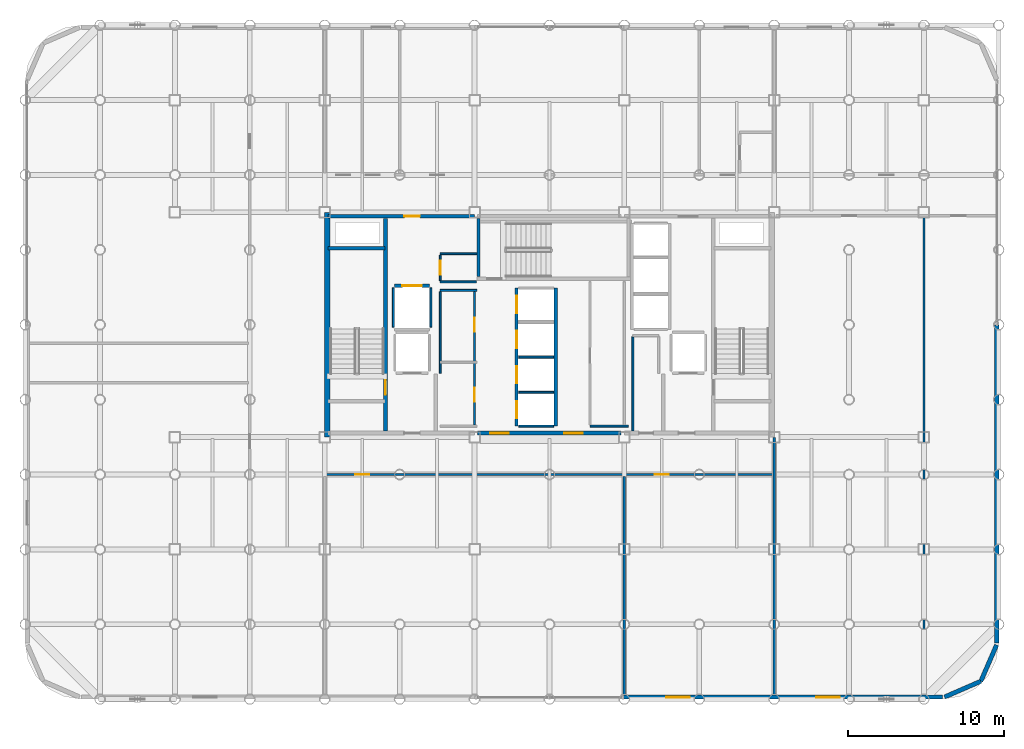
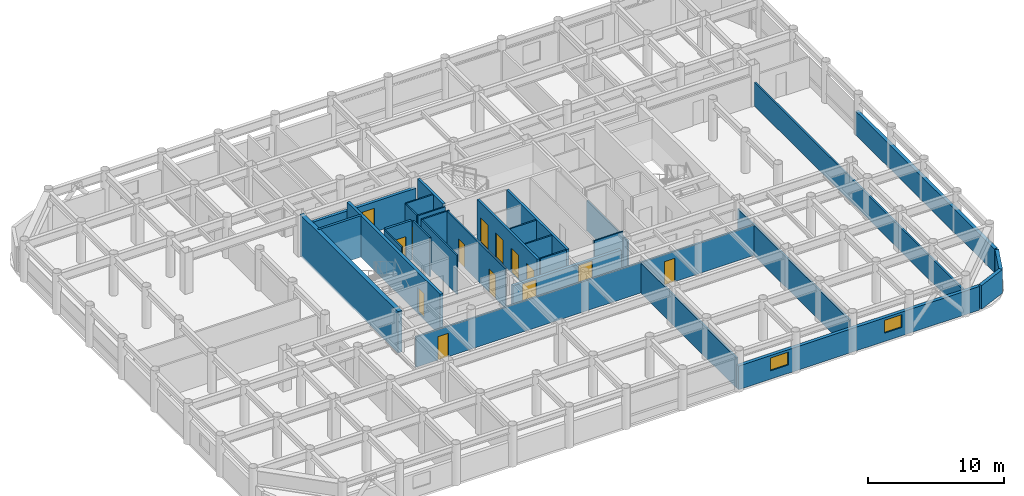
# One storey, part 16 of 19: 30 walls, 14 doors, 2 windows, 16 openings.
"""IFC4 building model written with IfcOpenShell, lengths in metres."""

from ifc_helpers import new_model, si_unit, direction, frame, frame_2d, origin, place, context, subcontext, project, spatial, rectangle, extrude, material, layer, layer_set, type_object, element, fill, save


model = new_model("IFC4")

# Units and contexts
model_context = context("Model", 3, precision=1e-05, world=origin(), true_north=direction((0.0, 1.0)))
body_context = subcontext(model_context, "Body", "Model", "MODEL_VIEW")
ifc_project = project(units=[si_unit("LENGTHUNIT", "METRE"), si_unit("AREAUNIT", "SQUARE_METRE"), si_unit("VOLUMEUNIT", "CUBIC_METRE"), si_unit("PLANEANGLEUNIT", "RADIAN"), si_unit("MASSUNIT", "GRAM", prefix="KILO")], contexts=[model_context])

# Site, building, storey
site_placement = place(None, origin())
site = spatial("IfcSite", under=ifc_project, at=site_placement, CompositionType="ELEMENT")
building_placement = place(site_placement, origin())
building = spatial("IfcBuilding", under=site, at=building_placement, Name="Kallvorn Hotel Tower", CompositionType="ELEMENT")
storey_placement = place(building_placement, frame((0.0, 0.0, 165.5)))
storey = spatial("IfcBuildingStorey", under=building, at=storey_placement, Name="L41", CompositionType="ELEMENT", Elevation=165.5)

# Walls
ifc_material_1 = material(Name="Concrete C50/60", Category="concrete")
ifc_layer_1 = layer(ifc_material_1, 0.35009765625)
ifc_layer_set_1 = layer_set([ifc_layer_1], Name="WL_CORE_350")
wall_type_1 = type_object("IfcWallType", Name="WL_CORE_350", PredefinedType="SHEAR", material=ifc_layer_set_1)
wall_1_placement = place(storey_placement, frame((-14.239990234375, -7.199951171875, -0.179931640625), z_axis=(0.0, 0.0, 1.0), x_axis=(0.0, 1.0, 0.0)))
element("IfcWall", 1, at=wall_1_placement, inside=storey, type_object=wall_type_1, Name="L41 Core West Shear Wall", PredefinedType="SHEAR", context=body_context, shape_type="SweptSolid", body=[
    extrude(rectangle(XDim=14.39990234375, YDim=0.35009765625, at=frame_2d((7.199951171875, 0.0))), origin(), (0.0, 0.0, 1.0), 3.699951171875),
])
ifc_material_2 = material(Name="Precast basalt-clad insulated concrete wall C40/50", Category="masonry")
ifc_layer_2 = layer(ifc_material_2, 0.280029296875)
ifc_layer_set_2 = layer_set([ifc_layer_2], Name="WL_EXT_LOGGIA_280")
wall_type_2 = type_object("IfcWallType", Name="WL_EXT_LOGGIA_280", PredefinedType="SOLIDWALL", material=ifc_layer_set_2)
wall_2_placement = place(storey_placement, frame((25.32080078125, -23.85791015625, 0.0), z_axis=(0.0, 0.0, 1.0), x_axis=(0.917060872934, 0.398747232384, 0.0)))
element("IfcWall", 2, at=wall_2_placement, inside=storey, type_object=wall_type_2, Name="L41 Rounded Corner Exterior Wall SE1", PredefinedType="SOLIDWALL", context=body_context, shape_type="SweptSolid", body=[
    extrude(rectangle(XDim=2.5361328125, YDim=0.280029296875, at=frame_2d((1.26806640625, 0.0))), origin(), (0.0, 0.0, 1.0), 2.1201171875),
])
wall_3_placement = place(storey_placement, frame((27.646484375, -22.8466796875, 0.0), z_axis=(0.0, 0.0, 1.0), x_axis=(0.398792985289, 0.917040977756, 0.0)))
element("IfcWall", 3, at=wall_3_placement, inside=storey, type_object=wall_type_2, Name="L41 Rounded Corner Exterior Wall SE2", PredefinedType="SOLIDWALL", context=body_context, shape_type="SweptSolid", body=[
    extrude(rectangle(XDim=2.536376953125, YDim=0.280029296875, at=frame_2d((1.26806640625, 0.0))), origin(), (0.0, 0.0, 1.0), 2.1201171875),
])

# Wall, openings, windows
wall_4_placement = place(storey_placement, frame((4.75, -23.860107421875, 0.0), z_axis=(0.0, 0.0, 1.0), x_axis=(1.0, 0.0, 0.0)))
wall_4 = element("IfcWall", 4, at=wall_4_placement, inside=storey, type_object=wall_type_2, Name="L41 Exterior Envelope Wall EW-L41-SE", PredefinedType="SOLIDWALL", context=body_context, shape_type="SweptSolid", body=[
    extrude(rectangle(XDim=20.449951171875, YDim=0.280029296875, at=frame_2d((10.22509765625, 0.0))), origin(), (0.0, 0.0, 1.0), 2.1201171875),
])
opening_1_placement = place(wall_4_placement, frame((12.360107421875, 0.0, 0.75)))
opening_1 = element("IfcOpeningElement", 5, at=opening_1_placement, cuts=wall_4, Name="Opening W05A", PredefinedType="OPENING", context=body_context, shape_type="SweptSolid", body=[
    extrude(rectangle(XDim=1.5, YDim=1.14990234375, at=frame_2d((0.75, 0.574951171875))), frame((0.0, 0.155029296875, 0.0), z_axis=(0.0, -1.0, 0.0), x_axis=(1.0, 0.0, 0.0)), (0.0, 0.0, 1.0), 0.31005859375),
])
opening_2_placement = place(wall_4_placement, frame((2.73388671875, 0.0, 0.75)))
opening_2 = element("IfcOpeningElement", 6, at=opening_2_placement, cuts=wall_4, Name="Opening W05A", PredefinedType="OPENING", context=body_context, shape_type="SweptSolid", body=[
    extrude(rectangle(XDim=1.5, YDim=1.14990234375, at=frame_2d((0.75, 0.574951171875))), frame((0.0, 0.155029296875, 0.0), z_axis=(0.0, -1.0, 0.0), x_axis=(1.0, 0.0, 0.0)), (0.0, 0.0, 1.0), 0.31005859375),
])
ifc_material_3 = material(Name="Double-glazed low-e solar-control dark glass", Category="glass")
window_type = type_object("IfcWindowType", Name="WN_HTL_1500x1150", PartitioningType="SINGLE_PANEL", PredefinedType="WINDOW", material=ifc_material_3)
window_1_placement = place(opening_1_placement, origin())
window_1 = element("IfcWindow", 7, at=window_1_placement, inside=storey, type_object=window_type, Name="L41 Guestroom Exterior Window 05", OverallHeight=1.14990234375, OverallWidth=1.5, PartitioningType="SINGLE_PANEL", PredefinedType="WINDOW", context=body_context, shape_type="SweptSolid", body=[
    extrude(rectangle(XDim=1.5, YDim=1.14990234375, at=frame_2d((0.75, 0.574951171875))), frame((0.0, 0.030029296875, 0.0), z_axis=(0.0, -1.0, 0.0), x_axis=(1.0, 0.0, 0.0)), (0.0, 0.0, 1.0), 0.06005859375),
])
fill(opening_1, window_1)
window_2_placement = place(opening_2_placement, origin())
window_2 = element("IfcWindow", 8, at=window_2_placement, inside=storey, type_object=window_type, Name="L41 Guestroom Exterior Window 06", OverallHeight=1.14990234375, OverallWidth=1.5, PartitioningType="SINGLE_PANEL", PredefinedType="WINDOW", context=body_context, shape_type="SweptSolid", body=[
    extrude(rectangle(XDim=1.5, YDim=1.14990234375, at=frame_2d((0.75, 0.574951171875))), frame((0.0, 0.030029296875, 0.0), z_axis=(0.0, -1.0, 0.0), x_axis=(1.0, 0.0, 0.0)), (0.0, 0.0, 1.0), 0.06005859375),
])
fill(opening_2, window_2)

# Walls
wall_5_placement = place(storey_placement, frame((28.659912109375, -20.39990234375, 0.0), z_axis=(0.0, 0.0, 1.0), x_axis=(0.0, 1.0, 0.0)))
element("IfcWall", 9, at=wall_5_placement, inside=storey, type_object=wall_type_2, Name="L41 Exterior Envelope Wall EW-L41-ES", PredefinedType="SOLIDWALL", context=body_context, shape_type="SweptSolid", body=[
    extrude(rectangle(XDim=20.3798828125, YDim=0.280029296875, at=frame_2d((10.18994140625, 0.0))), origin(), (0.0, 0.0, 1.0), 2.1201171875),
])
ifc_material_4 = material(Name="Concrete C40/50", Category="concrete")
ifc_layer_3 = layer(ifc_material_4, 0.199951171875)
ifc_layer_set_3 = layer_set([ifc_layer_3], Name="WL_HOIST_200")
wall_type_3 = type_object("IfcWallType", Name="WL_HOIST_200", PredefinedType="SOLIDWALL", material=ifc_layer_set_3)
wall_6_placement = place(storey_placement, frame((-14.199951171875, 4.89990234375, -0.179931640625), z_axis=(0.0, 0.0, 1.0), x_axis=(1.0, 0.0, 0.0)))
element("IfcWall", 10, at=wall_6_placement, inside=storey, type_object=wall_type_3, Name="L41 Stair ST1 North Wall", PredefinedType="SOLIDWALL", context=body_context, shape_type="SweptSolid", body=[
    extrude(rectangle(XDim=3.64990234375, YDim=0.199951171875, at=frame_2d((1.824951171875, 0.0))), origin(), (0.0, 0.0, 1.0), 3.699951171875),
])
wall_7_placement = place(storey_placement, frame((-4.550048828125, 3.080078125, -0.179931640625), z_axis=(0.0, 0.0, 1.0), x_axis=(0.0, 1.0, 0.0)))
element("IfcWall", 11, at=wall_7_placement, inside=storey, type_object=wall_type_3, Name="L41 Stair ST3 West Wall", PredefinedType="SOLIDWALL", context=body_context, shape_type="SweptSolid", body=[
    extrude(rectangle(XDim=3.739990234375, YDim=0.199951171875, at=frame_2d((1.8701171875, 0.0))), origin(), (0.0, 0.0, 1.0), 3.699951171875),
])

# Wall, openings, doors
wall_8_placement = place(storey_placement, frame((-2.10009765625, -6.5, 0.0), z_axis=(0.0, 0.0, 1.0), x_axis=(0.0, 1.0, 0.0)))
wall_8 = element("IfcWall", 12, at=wall_8_placement, inside=storey, type_object=wall_type_3, Name="L41 Lift Bank B2 Landing Wall", PredefinedType="SOLIDWALL", context=body_context, shape_type="SweptSolid", body=[
    extrude(rectangle(XDim=8.85009765625, YDim=0.199951171875, at=frame_2d((4.425048828125, 0.0))), origin(), (0.0, 0.0, 1.0), 3.52001953125),
])
opening_3_placement = place(wall_8_placement, frame((0.5, 0.0, 0.0)))
opening_3 = element("IfcOpeningElement", 13, at=opening_3_placement, cuts=wall_8, Name="Opening LD-PL-05", PredefinedType="OPENING", context=body_context, shape_type="SweptSolid", body=[
    extrude(rectangle(XDim=1.10009765625, YDim=2.199951171875, at=frame_2d((0.550048828125, 1.10009765625))), frame((0.0, 0.114990234375, 0.0), z_axis=(0.0, -1.0, 0.0), x_axis=(1.0, 0.0, 0.0)), (0.0, 0.0, 1.0), 0.22998046875),
])
opening_4_placement = place(wall_8_placement, frame((2.75, 0.0, 0.0)))
opening_4 = element("IfcOpeningElement", 14, at=opening_4_placement, cuts=wall_8, Name="Opening LD-PL-06", PredefinedType="OPENING", context=body_context, shape_type="SweptSolid", body=[
    extrude(rectangle(XDim=1.10009765625, YDim=2.199951171875, at=frame_2d((0.550048828125, 1.10009765625))), frame((0.0, 0.114990234375, 0.0), z_axis=(0.0, -1.0, 0.0), x_axis=(1.0, 0.0, 0.0)), (0.0, 0.0, 1.0), 0.22998046875),
])
opening_5_placement = place(wall_8_placement, frame((5.0, 0.0, 0.0)))
opening_5 = element("IfcOpeningElement", 15, at=opening_5_placement, cuts=wall_8, Name="Opening LD-PL-07", PredefinedType="OPENING", context=body_context, shape_type="SweptSolid", body=[
    extrude(rectangle(XDim=1.10009765625, YDim=2.199951171875, at=frame_2d((0.550048828125, 1.10009765625))), frame((0.0, 0.114990234375, 0.0), z_axis=(0.0, -1.0, 0.0), x_axis=(1.0, 0.0, 0.0)), (0.0, 0.0, 1.0), 0.22998046875),
])
opening_6_placement = place(wall_8_placement, frame((7.25, 0.0, 0.0)))
opening_6 = element("IfcOpeningElement", 16, at=opening_6_placement, cuts=wall_8, Name="Opening LD-PL-08", PredefinedType="OPENING", context=body_context, shape_type="SweptSolid", body=[
    extrude(rectangle(XDim=1.10009765625, YDim=2.199951171875, at=frame_2d((0.550048828125, 1.10009765625))), frame((0.0, 0.114990234375, 0.0), z_axis=(0.0, -1.0, 0.0), x_axis=(1.0, 0.0, 0.0)), (0.0, 0.0, 1.0), 0.22998046875),
])
ifc_material_5 = material(Name="Brushed stainless-steel automatic sliding lift landing door", Category="steel")
door_type_1 = type_object("IfcDoorType", Name="LD_PASS_1100x2200", OperationType="SLIDING_TO_LEFT", PredefinedType="DOOR", material=ifc_material_5)
door_1_placement = place(opening_3_placement, origin())
door_1 = element("IfcDoor", 17, at=door_1_placement, inside=storey, type_object=door_type_1, Name="L41 Lift Landing Sliding Door LD-PL-05", OperationType="SLIDING_TO_LEFT", OverallHeight=2.199951171875, OverallWidth=1.10009765625, PredefinedType="DOOR", context=body_context, shape_type="SweptSolid", body=[
    extrude(rectangle(XDim=1.10009765625, YDim=2.199951171875, at=frame_2d((0.550048828125, 1.10009765625))), frame((0.0, 0.02490234375, 0.0), z_axis=(0.0, -1.0, 0.0), x_axis=(1.0, 0.0, 0.0)), (0.0, 0.0, 1.0), 0.050048828125),
])
fill(opening_3, door_1)
door_2_placement = place(opening_4_placement, origin())
door_2 = element("IfcDoor", 18, at=door_2_placement, inside=storey, type_object=door_type_1, Name="L41 Lift Landing Sliding Door LD-PL-06", OperationType="SLIDING_TO_LEFT", OverallHeight=2.199951171875, OverallWidth=1.10009765625, PredefinedType="DOOR", context=body_context, shape_type="SweptSolid", body=[
    extrude(rectangle(XDim=1.10009765625, YDim=2.199951171875, at=frame_2d((0.550048828125, 1.10009765625))), frame((0.0, 0.02490234375, 0.0), z_axis=(0.0, -1.0, 0.0), x_axis=(1.0, 0.0, 0.0)), (0.0, 0.0, 1.0), 0.050048828125),
])
fill(opening_4, door_2)
door_3_placement = place(opening_5_placement, origin())
door_3 = element("IfcDoor", 19, at=door_3_placement, inside=storey, type_object=door_type_1, Name="L41 Lift Landing Sliding Door LD-PL-07", OperationType="SLIDING_TO_LEFT", OverallHeight=2.199951171875, OverallWidth=1.10009765625, PredefinedType="DOOR", context=body_context, shape_type="SweptSolid", body=[
    extrude(rectangle(XDim=1.10009765625, YDim=2.199951171875, at=frame_2d((0.550048828125, 1.10009765625))), frame((0.0, 0.02490234375, 0.0), z_axis=(0.0, -1.0, 0.0), x_axis=(1.0, 0.0, 0.0)), (0.0, 0.0, 1.0), 0.050048828125),
])
fill(opening_5, door_3)
door_4_placement = place(opening_6_placement, origin())
door_4 = element("IfcDoor", 20, at=door_4_placement, inside=storey, type_object=door_type_1, Name="L41 Lift Landing Sliding Door LD-PL-08", OperationType="SLIDING_TO_LEFT", OverallHeight=2.199951171875, OverallWidth=1.10009765625, PredefinedType="DOOR", context=body_context, shape_type="SweptSolid", body=[
    extrude(rectangle(XDim=1.10009765625, YDim=2.199951171875, at=frame_2d((0.550048828125, 1.10009765625))), frame((0.0, 0.02490234375, 0.0), z_axis=(0.0, -1.0, 0.0), x_axis=(1.0, 0.0, 0.0)), (0.0, 0.0, 1.0), 0.050048828125),
])
fill(opening_6, door_4)

# Wall
wall_9_placement = place(storey_placement, frame((0.39990234375, -6.5, 0.0), z_axis=(0.0, 0.0, 1.0), x_axis=(0.0, 1.0, 0.0)))
element("IfcWall", 21, at=wall_9_placement, inside=storey, type_object=wall_type_3, Name="L41 Lift Bank B2 Rear Shaft Wall", PredefinedType="SOLIDWALL", context=body_context, shape_type="SweptSolid", body=[
    extrude(rectangle(XDim=8.85009765625, YDim=0.199951171875, at=frame_2d((4.425048828125, 0.0))), origin(), (0.0, 0.0, 1.0), 3.52001953125),
])

# Wall, opening, door
wall_10_placement = place(storey_placement, frame((-9.919921875, 2.5, 0.0), z_axis=(0.0, 0.0, 1.0), x_axis=(1.0, 0.0, 0.0)))
wall_10 = element("IfcWall", 22, at=wall_10_placement, inside=storey, type_object=wall_type_3, Name="L41 SV-01 Landing Wall", PredefinedType="SOLIDWALL", context=body_context, shape_type="SweptSolid", body=[
    extrude(rectangle(XDim=2.239990234375, YDim=0.199951171875, at=frame_2d((1.1201171875, 0.0))), origin(), (0.0, 0.0, 1.0), 3.52001953125),
])
opening_7_placement = place(wall_10_placement, frame((0.4951171875, 0.0, 0.0)))
opening_7 = element("IfcOpeningElement", 23, at=opening_7_placement, cuts=wall_10, Name="Opening LD-SV-01", PredefinedType="OPENING", context=body_context, shape_type="SweptSolid", body=[
    extrude(rectangle(XDim=1.25, YDim=2.25, at=frame_2d((0.625, 1.125))), frame((0.0, 0.114990234375, 0.0), z_axis=(0.0, -1.0, 0.0), x_axis=(1.0, 0.0, 0.0)), (0.0, 0.0, 1.0), 0.22998046875),
])
ifc_material_6 = material(Name="Brushed stainless-steel automatic sliding lift landing door", Category="steel")
door_type_2 = type_object("IfcDoorType", Name="LD_SERV_1250x2250", OperationType="SLIDING_TO_LEFT", PredefinedType="DOOR", material=ifc_material_6)
door_5_placement = place(opening_7_placement, origin())
door_5 = element("IfcDoor", 24, at=door_5_placement, inside=storey, type_object=door_type_2, Name="L41 Lift Landing Sliding Door LD-SV-01", OperationType="SLIDING_TO_LEFT", OverallHeight=2.25, OverallWidth=1.25, PredefinedType="DOOR", context=body_context, shape_type="SweptSolid", body=[
    extrude(rectangle(XDim=1.25, YDim=2.25, at=frame_2d((0.625, 1.125))), frame((0.0, 0.02490234375, 0.0), z_axis=(0.0, -1.0, 0.0), x_axis=(1.0, 0.0, 0.0)), (0.0, 0.0, 1.0), 0.050048828125),
])
fill(opening_7, door_5)

# Walls
ifc_material_7 = material(Name="Fire-rated double-layer acoustic gypsum drywall EI 60")
ifc_layer_4 = layer(ifc_material_7, 0.1201171875)
ifc_layer_set_4 = layer_set([ifc_layer_4], Name="WL_INT_120")
wall_type_4 = type_object("IfcWallType", Name="WL_INT_120", PredefinedType="PARTITIONING", material=ifc_layer_set_4)
for number, where, z_axis, x_axis, name in (
    (25, (-1.9599609375, -6.5, 0.0), (0.0, 0.0, 1.0), (1.0, 0.0, 0.0), "L41 Lift Bank B2 South Closure Wall"),
    (26, (-1.9599609375, -4.324951171875, 0.0), (0.0, 0.0, 1.0), (1.0, 0.0, 0.0), "L41 PL-05 Hoistway Divider"),
    (27, (-1.9599609375, -2.074951171875, 0.0), (0.0, 0.0, 1.0), (1.0, 0.0, 0.0), "L41 PL-06 Hoistway Divider"),
):
    element("IfcWall", number, at=place(storey_placement, frame(where, z_axis=z_axis, x_axis=x_axis)), inside=storey, type_object=wall_type_4, Name=name, PredefinedType="PARTITIONING", context=body_context, shape_type="SweptSolid", body=[
        extrude(rectangle(XDim=2.219970703125, YDim=0.1201171875, at=frame_2d((1.10986328125, 0.0))), origin(), (0.0, 0.0, 1.0), 3.52001953125),
    ])
for number, where, z_axis, x_axis, name in (
    (28, (-10.0, -0.159912109375, 0.0), (0.0, 0.0, 1.0), (0.0, 1.0, 0.0), "L41 SV-01 West Shaft Wall"),
    (29, (-7.60009765625, -0.159912109375, 0.0), (0.0, 0.0, 1.0), (0.0, 1.0, 0.0), "L41 SV-01 East Shaft Wall"),
):
    element("IfcWall", number, at=place(storey_placement, frame(where, z_axis=z_axis, x_axis=x_axis)), inside=storey, type_object=wall_type_4, Name=name, PredefinedType="PARTITIONING", context=body_context, shape_type="SweptSolid", body=[
        extrude(rectangle(XDim=2.52001953125, YDim=0.1201171875, at=frame_2d((1.260009765625, 0.0))), origin(), (0.0, 0.0, 1.0), 3.52001953125),
    ])
wall_11_placement = place(storey_placement, frame((2.60009765625, -6.5, 0.0), z_axis=(0.0, 0.0, 1.0), x_axis=(1.0, 0.0, 0.0)))
element("IfcWall", 30, at=wall_11_placement, inside=storey, type_object=wall_type_4, Name="L41 East Core Consolidated Linen and Supply Store Partition", PredefinedType="PARTITIONING", context=body_context, shape_type="SweptSolid", body=[
    extrude(rectangle(XDim=2.449951171875, YDim=0.1201171875, at=frame_2d((1.22509765625, 0.0))), origin(), (0.0, 0.0, 1.0), 3.52001953125),
])
wall_12_placement = place(storey_placement, frame((-7.0, 2.199951171875, 0.0), z_axis=(0.0, 0.0, 1.0), x_axis=(1.0, 0.0, 0.0)))
element("IfcWall", 31, at=wall_12_placement, inside=storey, type_object=wall_type_4, Name="L41 Recaptured Central Linen Store Partition", PredefinedType="PARTITIONING", context=body_context, shape_type="SweptSolid", body=[
    extrude(rectangle(XDim=2.35009765625, YDim=0.1201171875, at=frame_2d((1.175048828125, 0.0))), origin(), (0.0, 0.0, 1.0), 3.52001953125),
])
wall_13_placement = place(storey_placement, frame((-7.0, 2.75, 0.0), z_axis=(0.0, 0.0, 1.0), x_axis=(1.0, 0.0, 0.0)))
element("IfcWall", 32, at=wall_13_placement, inside=storey, type_object=wall_type_4, Name="L41 Recaptured North Valet Closet Partition", PredefinedType="PARTITIONING", context=body_context, shape_type="SweptSolid", body=[
    extrude(rectangle(XDim=2.31005859375, YDim=0.1201171875, at=frame_2d((1.155029296875, 0.0))), origin(), (0.0, 0.0, 1.0), 3.52001953125),
])
wall_14_placement = place(storey_placement, frame((-7.0, 4.550048828125, 0.0), z_axis=(0.0, 0.0, 1.0), x_axis=(1.0, 0.0, 0.0)))
element("IfcWall", 33, at=wall_14_placement, inside=storey, type_object=wall_type_4, Name="L41 Recaptured North Valet Closet Partition", PredefinedType="PARTITIONING", context=body_context, shape_type="SweptSolid", body=[
    extrude(rectangle(XDim=2.35009765625, YDim=0.1201171875, at=frame_2d((1.175048828125, 0.0))), origin(), (0.0, 0.0, 1.0), 3.52001953125),
])
wall_15_placement = place(storey_placement, frame((-7.0, -3.110107421875, 0.0), z_axis=(0.0, 0.0, 1.0), x_axis=(0.0, 1.0, 0.0)))
element("IfcWall", 34, at=wall_15_placement, inside=storey, type_object=wall_type_4, Name="L41 Recaptured South Minibar Pantry Partition", PredefinedType="PARTITIONING", context=body_context, shape_type="SweptSolid", body=[
    extrude(rectangle(XDim=5.22509765625, YDim=0.1201171875, at=frame_2d((2.612548828125, 0.0))), origin(), (0.0, 0.0, 1.0), 3.52001953125),
])

# Wall, opening, door
wall_16_placement = place(storey_placement, frame((-7.0, 2.8349609375, 0.0), z_axis=(0.0, 0.0, 1.0), x_axis=(0.0, 1.0, 0.0)))
wall_16 = element("IfcWall", 35, at=wall_16_placement, inside=storey, type_object=wall_type_4, Name="L41 Recaptured North Valet Closet Partition", PredefinedType="PARTITIONING", context=body_context, shape_type="SweptSolid", body=[
    extrude(rectangle(XDim=1.630126953125, YDim=0.1201171875, at=frame_2d((0.81494140625, 0.0))), origin(), (0.0, 0.0, 1.0), 3.52001953125),
])
opening_8_placement = place(wall_16_placement, frame((0.364990234375, 0.0, 0.0)))
opening_8 = element("IfcOpeningElement", 36, at=opening_8_placement, cuts=wall_16, Name="Opening SVD1", PredefinedType="OPENING", context=body_context, shape_type="SweptSolid", body=[
    extrude(rectangle(XDim=0.89990234375, YDim=2.10009765625, at=frame_2d((0.449951171875, 1.050048828125))), frame((0.0, 0.074951171875, 0.0), z_axis=(0.0, -1.0, 0.0), x_axis=(1.0, 0.0, 0.0)), (0.0, 0.0, 1.0), 0.150146484375),
])
ifc_material_8 = material(Name="Galvanised painted steel fire-rated door assembly", Category="steel")
door_type_3 = type_object("IfcDoorType", Name="DR_SERV_900x2100", OperationType="NOTDEFINED", PredefinedType="DOOR", material=ifc_material_8)
door_6_placement = place(opening_8_placement, origin())
door_6 = element("IfcDoor", 37, at=door_6_placement, inside=storey, type_object=door_type_3, Name="L41 Recaptured North Valet Closet Door", OperationType="SINGLE_SWING_LEFT", OverallHeight=2.10009765625, OverallWidth=0.89990234375, PredefinedType="DOOR", context=body_context, shape_type="SweptSolid", body=[
    extrude(rectangle(XDim=0.89990234375, YDim=2.10009765625, at=frame_2d((0.449951171875, 1.050048828125))), frame((0.0, 0.02490234375, 0.0), z_axis=(0.0, -1.0, 0.0), x_axis=(1.0, 0.0, 0.0)), (0.0, 0.0, 1.0), 0.050048828125),
])
fill(opening_8, door_6)

# Wall, openings, doors
wall_17_placement = place(storey_placement, frame((-4.800048828125, -6.4150390625, 0.0), z_axis=(0.0, 0.0, 1.0), x_axis=(0.0, 1.0, 0.0)))
wall_17 = element("IfcWall", 38, at=wall_17_placement, inside=storey, type_object=wall_type_4, Name="L41 Recaptured South Minibar Pantry Partition", PredefinedType="PARTITIONING", context=body_context, shape_type="SweptSolid", body=[
    extrude(rectangle(XDim=8.530029296875, YDim=0.1201171875, at=frame_2d((4.26513671875, 0.0))), origin(), (0.0, 0.0, 1.0), 3.52001953125),
])
opening_9_placement = place(wall_17_placement, frame((1.465087890625, 0.0, 0.0)))
opening_9 = element("IfcOpeningElement", 39, at=opening_9_placement, cuts=wall_17, Name="Opening SVD1", PredefinedType="OPENING", context=body_context, shape_type="SweptSolid", body=[
    extrude(rectangle(XDim=0.89990234375, YDim=2.10009765625, at=frame_2d((0.449951171875, 1.050048828125))), frame((0.0, 0.074951171875, 0.0), z_axis=(0.0, -1.0, 0.0), x_axis=(1.0, 0.0, 0.0)), (0.0, 0.0, 1.0), 0.150146484375),
])
opening_10_placement = place(wall_17_placement, frame((5.965087890625, 0.0, 0.0)))
opening_10 = element("IfcOpeningElement", 40, at=opening_10_placement, cuts=wall_17, Name="Opening SVD1", PredefinedType="OPENING", context=body_context, shape_type="SweptSolid", body=[
    extrude(rectangle(XDim=0.89990234375, YDim=2.10009765625, at=frame_2d((0.449951171875, 1.050048828125))), frame((0.0, 0.074951171875, 0.0), z_axis=(0.0, -1.0, 0.0), x_axis=(1.0, 0.0, 0.0)), (0.0, 0.0, 1.0), 0.150146484375),
])
door_7_placement = place(opening_9_placement, origin())
door_7 = element("IfcDoor", 41, at=door_7_placement, inside=storey, type_object=door_type_3, Name="L41 Recaptured South Minibar Pantry Door", OperationType="SINGLE_SWING_LEFT", OverallHeight=2.10009765625, OverallWidth=0.89990234375, PredefinedType="DOOR", context=body_context, shape_type="SweptSolid", body=[
    extrude(rectangle(XDim=0.89990234375, YDim=2.10009765625, at=frame_2d((0.449951171875, 1.050048828125))), frame((0.0, 0.02490234375, 0.0), z_axis=(0.0, -1.0, 0.0), x_axis=(1.0, 0.0, 0.0)), (0.0, 0.0, 1.0), 0.050048828125),
])
fill(opening_9, door_7)
door_8_placement = place(opening_10_placement, origin())
door_8 = element("IfcDoor", 42, at=door_8_placement, inside=storey, type_object=door_type_3, Name="L41 Recaptured Central Linen Store Door", OperationType="SINGLE_SWING_RIGHT", OverallHeight=2.10009765625, OverallWidth=0.89990234375, PredefinedType="DOOR", context=body_context, shape_type="SweptSolid", body=[
    extrude(rectangle(XDim=0.89990234375, YDim=2.10009765625, at=frame_2d((0.449951171875, 1.050048828125))), frame((0.0, 0.02490234375, 0.0), z_axis=(0.0, -1.0, 0.0), x_axis=(1.0, 0.0, 0.0)), (0.0, 0.0, 1.0), 0.050048828125),
])
fill(opening_10, door_8)

# Wall
wall_18_placement = place(storey_placement, frame((5.35009765625, -6.800048828125, 0.0), z_axis=(0.0, 0.0, 1.0), x_axis=(0.0, 1.0, 0.0)))
element("IfcWall", 43, at=wall_18_placement, inside=storey, type_object=wall_type_4, Name="L41 Core Utility and Meter Room Partition", PredefinedType="PARTITIONING", context=body_context, shape_type="SweptSolid", body=[
    extrude(rectangle(XDim=6.01513671875, YDim=0.1201171875, at=frame_2d((3.007568359375, 0.0))), origin(), (0.0, 0.0, 1.0), 2.719970703125),
])

# Wall, openings, doors
ifc_material_9 = material(Name="Fire-rated double-layer acoustic gypsum drywall EI 60")
ifc_layer_5 = layer(ifc_material_9, 0.14990234375)
ifc_layer_set_5 = layer_set([ifc_layer_5], Name="WL_PART_150")
wall_type_5 = type_object("IfcWallType", Name="WL_PART_150", PredefinedType="PARTITIONING", material=ifc_layer_set_5)
wall_19_placement = place(storey_placement, frame((-14.320068359375, -9.60009765625, 0.0), z_axis=(0.0, 0.0, 1.0), x_axis=(1.0, 0.0, 0.0)))
wall_19 = element("IfcWall", 44, at=wall_19_placement, inside=storey, type_object=wall_type_5, Name="L41 L41 Diplomatic Summit Conference Boardroom 1 Partition", PredefinedType="PARTITIONING", context=body_context, shape_type="SweptSolid", body=[
    extrude(rectangle(XDim=28.64013671875, YDim=0.14990234375, at=frame_2d((14.320068359375, 0.0))), origin(), (0.0, 0.0, 1.0), 2.719970703125),
])
opening_11_placement = place(wall_19_placement, frame((1.8701171875, 0.0, 0.0)))
opening_11 = element("IfcOpeningElement", 45, at=opening_11_placement, cuts=wall_19, Name="Opening SVD1", PredefinedType="OPENING", context=body_context, shape_type="SweptSolid", body=[
    extrude(rectangle(XDim=0.89990234375, YDim=2.10009765625, at=frame_2d((0.449951171875, 1.050048828125))), frame((0.0, 0.08984375, 0.0), z_axis=(0.0, -1.0, 0.0), x_axis=(1.0, 0.0, 0.0)), (0.0, 0.0, 1.0), 0.179931640625),
])
opening_12_placement = place(wall_19_placement, frame((21.070068359375, 0.0, 0.0)))
opening_12 = element("IfcOpeningElement", 46, at=opening_12_placement, cuts=wall_19, Name="Opening SVD1", PredefinedType="OPENING", context=body_context, shape_type="SweptSolid", body=[
    extrude(rectangle(XDim=0.89990234375, YDim=2.10009765625, at=frame_2d((0.449951171875, 1.050048828125))), frame((0.0, 0.08984375, 0.0), z_axis=(0.0, -1.0, 0.0), x_axis=(1.0, 0.0, 0.0)), (0.0, 0.0, 1.0), 0.179931640625),
])
door_9_placement = place(opening_11_placement, origin())
door_9 = element("IfcDoor", 47, at=door_9_placement, inside=storey, type_object=door_type_3, Name="L41 L41 Diplomatic Summit Conference Boardroom 1 Door", OperationType="SINGLE_SWING_LEFT", OverallHeight=2.10009765625, OverallWidth=0.89990234375, PredefinedType="DOOR", context=body_context, shape_type="SweptSolid", body=[
    extrude(rectangle(XDim=0.89990234375, YDim=2.10009765625, at=frame_2d((0.449951171875, 1.050048828125))), frame((0.0, 0.02490234375, 0.0), z_axis=(0.0, -1.0, 0.0), x_axis=(1.0, 0.0, 0.0)), (0.0, 0.0, 1.0), 0.050048828125),
])
fill(opening_11, door_9)
door_10_placement = place(opening_12_placement, origin())
door_10 = element("IfcDoor", 48, at=door_10_placement, inside=storey, type_object=door_type_3, Name="L41 L41 Haute Couture Design Retail Shop 2 Door", OperationType="SINGLE_SWING_RIGHT", OverallHeight=2.10009765625, OverallWidth=0.89990234375, PredefinedType="DOOR", context=body_context, shape_type="SweptSolid", body=[
    extrude(rectangle(XDim=0.89990234375, YDim=2.10009765625, at=frame_2d((0.449951171875, 1.050048828125))), frame((0.0, 0.02490234375, 0.0), z_axis=(0.0, -1.0, 0.0), x_axis=(1.0, 0.0, 0.0)), (0.0, 0.0, 1.0), 0.050048828125),
])
fill(opening_12, door_10)

# Walls
wall_20_placement = place(storey_placement, frame((4.800048828125, -23.7099609375, 0.0), z_axis=(0.0, 0.0, 1.0), x_axis=(0.0, 1.0, 0.0)))
element("IfcWall", 49, at=wall_20_placement, inside=storey, type_object=wall_type_5, Name="L41 L41 Diplomatic Summit Conference Boardroom 1 Partition", PredefinedType="PARTITIONING", context=body_context, shape_type="SweptSolid", body=[
    extrude(rectangle(XDim=13.989990234375, YDim=0.14990234375, at=frame_2d((6.9951171875, 0.0))), origin(), (0.0, 0.0, 1.0), 2.719970703125),
])
wall_21_placement = place(storey_placement, frame((14.39990234375, -23.7099609375, 0.0), z_axis=(0.0, 0.0, 1.0), x_axis=(0.0, 1.0, 0.0)))
element("IfcWall", 50, at=wall_21_placement, inside=storey, type_object=wall_type_5, Name="L41 L41 Haute Couture Design Retail Shop 2 Partition", PredefinedType="PARTITIONING", context=body_context, shape_type="SweptSolid", body=[
    extrude(rectangle(XDim=16.469970703125, YDim=0.14990234375, at=frame_2d((8.23486328125, 0.0))), origin(), (0.0, 0.0, 1.0), 2.719970703125),
])
wall_22_placement = place(storey_placement, frame((24.0, -23.7099609375, 0.0), z_axis=(0.0, 0.0, 1.0), x_axis=(0.0, 1.0, 0.0)))
element("IfcWall", 51, at=wall_22_placement, inside=storey, type_object=wall_type_5, Name="L41 L41 Far-East Design Boutique Partition", PredefinedType="PARTITIONING", context=body_context, shape_type="SweptSolid", body=[
    extrude(rectangle(XDim=30.60498046875, YDim=0.14990234375, at=frame_2d((15.302490234375, 0.0))), origin(), (0.0, 0.0, 1.0), 2.1201171875),
])

# Wall, openings, doors
ifc_material_10 = material(Name="Concrete C40/50", Category="concrete")
ifc_layer_6 = layer(ifc_material_10, 0.25)
ifc_layer_set_6 = layer_set([ifc_layer_6], Name="WL_SHAFT_250")
wall_type_6 = type_object("IfcWallType", Name="WL_SHAFT_250", PredefinedType="SOLIDWALL", material=ifc_layer_set_6)
wall_23_placement = place(storey_placement, frame((-4.60009765625, -6.949951171875, 0.0), z_axis=(0.0, 0.0, 1.0), x_axis=(1.0, 0.0, 0.0)))
wall_23 = element("IfcWall", 52, at=wall_23_placement, inside=storey, type_object=wall_type_6, Name="L41 Core South-Central Wall", PredefinedType="SOLIDWALL", context=body_context, shape_type="SweptSolid", body=[
    extrude(rectangle(XDim=9.2001953125, YDim=0.25, at=frame_2d((4.60009765625, 0.0))), origin(), (0.0, 0.0, 1.0), 2.320068359375),
])
opening_13_placement = place(wall_23_placement, frame((0.800048828125, 0.0, 0.0)))
opening_13 = element("IfcOpeningElement", 53, at=opening_13_placement, cuts=wall_23, Name="Opening FD2", PredefinedType="OPENING", context=body_context, shape_type="SweptSolid", body=[
    extrude(rectangle(XDim=1.199951171875, YDim=2.199951171875, at=frame_2d((0.60009765625, 1.10009765625))), frame((0.0, 0.139892578125, 0.0), z_axis=(0.0, -1.0, 0.0), x_axis=(1.0, 0.0, 0.0)), (0.0, 0.0, 1.0), 0.280029296875),
])
opening_14_placement = place(wall_23_placement, frame((5.550048828125, 0.0, 0.0)))
opening_14 = element("IfcOpeningElement", 54, at=opening_14_placement, cuts=wall_23, Name="Opening FD2", PredefinedType="OPENING", context=body_context, shape_type="SweptSolid", body=[
    extrude(rectangle(XDim=1.199951171875, YDim=2.199951171875, at=frame_2d((0.60009765625, 1.10009765625))), frame((0.0, 0.139892578125, 0.0), z_axis=(0.0, -1.0, 0.0), x_axis=(1.0, 0.0, 0.0)), (0.0, 0.0, 1.0), 0.280029296875),
])
ifc_material_11 = material(Name="Galvanised painted steel fire-rated door assembly", Category="steel")
door_type_4 = type_object("IfcDoorType", Name="DR_LOBBY_1200x2200", OperationType="DOUBLE_DOOR_SINGLE_SWING", PredefinedType="DOOR", material=ifc_material_11)
door_11_placement = place(opening_13_placement, origin())
door_11 = element("IfcDoor", 55, at=door_11_placement, inside=storey, type_object=door_type_4, Name="L41 West Passenger Lift Lobby Door", OperationType="DOUBLE_DOOR_SINGLE_SWING", OverallHeight=2.199951171875, OverallWidth=1.199951171875, PredefinedType="DOOR", context=body_context, shape_type="SweptSolid", body=[
    extrude(rectangle(XDim=1.199951171875, YDim=2.199951171875, at=frame_2d((0.60009765625, 1.10009765625))), frame((0.0, 0.02490234375, 0.0), z_axis=(0.0, -1.0, 0.0), x_axis=(1.0, 0.0, 0.0)), (0.0, 0.0, 1.0), 0.050048828125),
])
fill(opening_13, door_11)
door_12_placement = place(opening_14_placement, origin())
door_12 = element("IfcDoor", 56, at=door_12_placement, inside=storey, type_object=door_type_4, Name="L41 East Passenger Lift Lobby Door", OperationType="DOUBLE_DOOR_SINGLE_SWING", OverallHeight=2.199951171875, OverallWidth=1.199951171875, PredefinedType="DOOR", context=body_context, shape_type="SweptSolid", body=[
    extrude(rectangle(XDim=1.199951171875, YDim=2.199951171875, at=frame_2d((0.60009765625, 1.10009765625))), frame((0.0, 0.02490234375, 0.0), z_axis=(0.0, -1.0, 0.0), x_axis=(1.0, 0.0, 0.0)), (0.0, 0.0, 1.0), 0.050048828125),
])
fill(opening_14, door_12)

# Wall, opening, door
wall_24_placement = place(storey_placement, frame((-14.199951171875, 6.949951171875, 0.0), z_axis=(0.0, 0.0, 1.0), x_axis=(1.0, 0.0, 0.0)))
wall_24 = element("IfcWall", 57, at=wall_24_placement, inside=storey, type_object=wall_type_6, Name="L41 Core North-West Wall", PredefinedType="SOLIDWALL", context=body_context, shape_type="SweptSolid", body=[
    extrude(rectangle(XDim=9.39990234375, YDim=0.25, at=frame_2d((4.699951171875, 0.0))), origin(), (0.0, 0.0, 1.0), 2.719970703125),
])
opening_15_placement = place(wall_24_placement, frame((4.89990234375, 0.0, 0.0)))
opening_15 = element("IfcOpeningElement", 58, at=opening_15_placement, cuts=wall_24, Name="Opening FD1", PredefinedType="OPENING", context=body_context, shape_type="SweptSolid", body=[
    extrude(rectangle(XDim=1.0, YDim=2.14990234375, at=frame_2d((0.5, 1.074951171875))), frame((0.0, 0.139892578125, 0.0), z_axis=(0.0, -1.0, 0.0), x_axis=(1.0, 0.0, 0.0)), (0.0, 0.0, 1.0), 0.280029296875),
])
ifc_material_12 = material(Name="Galvanised painted steel fire-rated door assembly", Category="steel")
door_type_5 = type_object("IfcDoorType", Name="DR_FFL_1000x2150", OperationType="NOTDEFINED", PredefinedType="DOOR", material=ifc_material_12)
door_13_placement = place(opening_15_placement, origin())
door_13 = element("IfcDoor", 59, at=door_13_placement, inside=storey, type_object=door_type_5, Name="L41 Service Lift Lobby Door", OperationType="SINGLE_SWING_LEFT", OverallHeight=2.14990234375, OverallWidth=1.0, PredefinedType="DOOR", context=body_context, shape_type="SweptSolid", body=[
    extrude(rectangle(XDim=1.0, YDim=2.14990234375, at=frame_2d((0.5, 1.074951171875))), frame((0.0, 0.02490234375, 0.0), z_axis=(0.0, -1.0, 0.0), x_axis=(1.0, 0.0, 0.0)), (0.0, 0.0, 1.0), 0.050048828125),
])
fill(opening_15, door_13)

wall_25_placement = place(storey_placement, frame((-10.5, -6.820068359375, -0.179931640625), z_axis=(0.0, 0.0, 1.0), x_axis=(0.0, 1.0, 0.0)))
wall_25 = element("IfcWall", 60, at=wall_25_placement, inside=storey, type_object=wall_type_6, Name="L41 Stair ST1 Shaft Wall", PredefinedType="SOLIDWALL", context=body_context, shape_type="SweptSolid", body=[
    extrude(rectangle(XDim=13.64013671875, YDim=0.25, at=frame_2d((6.820068359375, 0.0))), origin(), (0.0, 0.0, 1.0), 3.699951171875),
])
opening_16_placement = place(wall_25_placement, frame((2.320068359375, 0.0, 0.179931640625)))
opening_16 = element("IfcOpeningElement", 61, at=opening_16_placement, cuts=wall_25, Name="Opening SD1", PredefinedType="OPENING", context=body_context, shape_type="SweptSolid", body=[
    extrude(rectangle(XDim=0.949951171875, YDim=2.14990234375, at=frame_2d((0.47509765625, 1.074951171875))), frame((0.0, 0.139892578125, 0.0), z_axis=(0.0, -1.0, 0.0), x_axis=(1.0, 0.0, 0.0)), (0.0, 0.0, 1.0), 0.280029296875),
])
ifc_material_13 = material(Name="Galvanised painted steel fire-rated door assembly", Category="steel")
door_type_6 = type_object("IfcDoorType", Name="DR_STAIR_950x2150", OperationType="NOTDEFINED", PredefinedType="DOOR", material=ifc_material_13)
door_14_placement = place(opening_16_placement, origin())
door_14 = element("IfcDoor", 62, at=door_14_placement, inside=storey, type_object=door_type_6, Name="L41 Exit Stair ST1 Fire Door", OperationType="SINGLE_SWING_RIGHT", OverallHeight=2.14990234375, OverallWidth=0.949951171875, PredefinedType="DOOR", context=body_context, shape_type="SweptSolid", body=[
    extrude(rectangle(XDim=0.949951171875, YDim=2.14990234375, at=frame_2d((0.47509765625, 1.074951171875))), frame((0.0, 0.02490234375, 0.0), z_axis=(0.0, -1.0, 0.0), x_axis=(1.0, 0.0, 0.0)), (0.0, 0.0, 1.0), 0.050048828125),
])
fill(opening_16, door_14)

save(model, "model.ifc")
